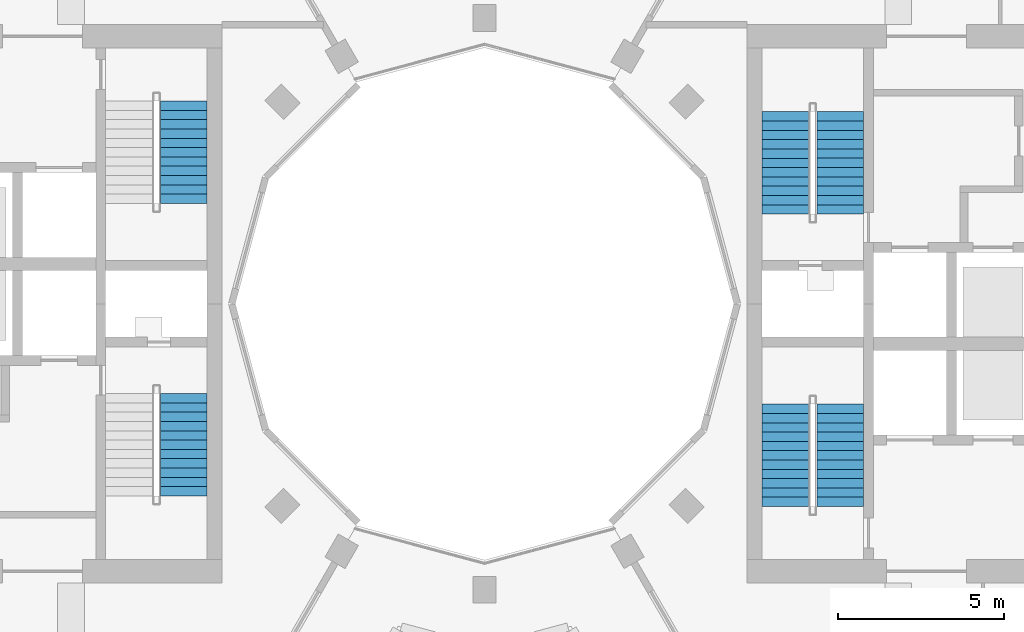
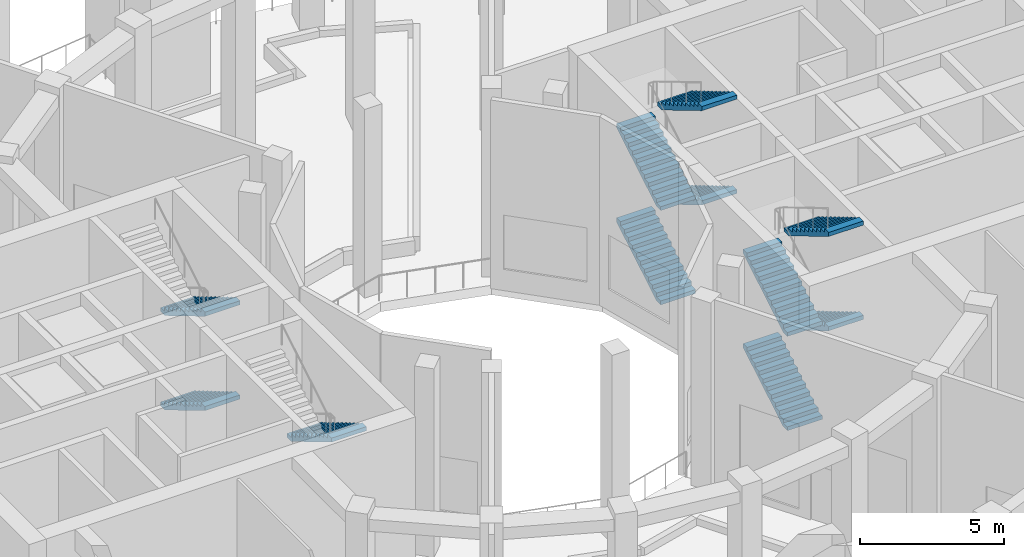
# One storey, part 15 of 18: 11 stair flights, 4 elements without a shape of their own.
"""IFC4 building model written with IfcOpenShell, lengths in metres."""

from ifc_helpers import new_model, si_unit, direction, frame, origin, place, context, subcontext, project, spatial, polyline, outline, extrude, material, layer, layer_set, type_object, element, aggregate, save


model = new_model("IFC4")

# Units and contexts
model_context = context("Model", 3, precision=1e-05, world=origin(), true_north=direction((0.0, 1.0)))
body_context = subcontext(model_context, "Body", "Model", "MODEL_VIEW")
ifc_project = project(units=[si_unit("LENGTHUNIT", "METRE"), si_unit("AREAUNIT", "SQUARE_METRE"), si_unit("VOLUMEUNIT", "CUBIC_METRE"), si_unit("PLANEANGLEUNIT", "RADIAN"), si_unit("MASSUNIT", "GRAM", prefix="KILO")], contexts=[model_context])

# Site, building, storey
site_placement = place(None, origin())
site = spatial("IfcSite", under=ifc_project, at=site_placement, CompositionType="ELEMENT")
building_placement = place(site_placement, origin())
building = spatial("IfcBuilding", under=site, at=building_placement, Name="Torre Brocal", CompositionType="ELEMENT")
storey_placement = place(building_placement, frame((0.0, 0.0, 149.699951171875)))
storey = spatial("IfcBuildingStorey", under=building, at=storey_placement, Name="L35", CompositionType="ELEMENT", Elevation=149.699951171875)

# Stair, stair flights
ifc_material_1 = material(Name="Concrete C50", Category="concrete")
stair_type = type_object("IfcStairType", Name="EXIT STAIR", PredefinedType="HALF_TURN_STAIR", material=ifc_material_1)
stair_1_placement = place(storey_placement, origin())
stair_1 = element("IfcStair", 1, at=stair_1_placement, inside=storey, type_object=stair_type, Name="EXIT STAIR ST1", PredefinedType="HALF_TURN_STAIR")
ifc_material_2 = material(Name="Concrete C50", Category="concrete")
ifc_layer = layer(ifc_material_2, 0.14990234375)
ifc_layer_set = layer_set([ifc_layer], Name="Concrete C50")
stair_flight_type = type_object("IfcStairFlightType", Name="STAIR FLIGHT", PredefinedType="STRAIGHT", material=ifc_layer_set)
stair_flight_1_placement = place(storey_placement, frame((89.050048828125, 77.699951171875, 0.0), z_axis=(0.0, 0.0, 1.0), x_axis=(0.0, 1.0, 0.0)))
stair_flight_1 = element("IfcStairFlight", 2, at=stair_flight_1_placement, type_object=stair_flight_type, Name="ST1 flight 1", NumberOfRisers=12, NumberOfTreads=11, PredefinedType="STRAIGHT", RiserHeight=0.166666667, TreadLength=0.28, context=body_context, shape_type="SweptSolid", body=[
    extrude(outline(polyline([(0.0, 0.0), (0.0, 0.166748046875), (0.280029296875, 0.166748046875), (0.280029296875, 0.333251953125), (0.56005859375, 0.333251953125), (0.56005859375, 0.5), (0.840087890625, 0.5), (0.840087890625, 0.666748046875), (1.1201171875, 0.666748046875), (1.1201171875, 0.833251953125), (1.39990234375, 0.833251953125), (1.39990234375, 1.0), (1.679931640625, 1.0), (1.679931640625, 1.166748046875), (1.9599609375, 1.166748046875), (1.9599609375, 1.333251953125), (2.239990234375, 1.333251953125), (2.239990234375, 1.5), (2.52001953125, 1.5), (2.52001953125, 1.666748046875), (2.800048828125, 1.666748046875), (2.800048828125, 1.833251953125), (3.080078125, 1.833251953125), (3.080078125, 2.0), (3.080078125, 1.658935546875), (0.29296875, 0.0), (0.0, 0.0)])), frame((0.0, 0.699951171875, 0.0), z_axis=(0.0, -1.0, 0.0), x_axis=(1.0, 0.0, 0.0)), (0.0, 0.0, 1.0), 1.39990234375),
])
stair_flight_2_placement = place(storey_placement, frame((90.699951171875, 80.780029296875, 2.0), z_axis=(0.0, 0.0, 1.0), x_axis=(0.0, -1.0, 0.0)))
stair_flight_2 = element("IfcStairFlight", 3, at=stair_flight_2_placement, type_object=stair_flight_type, Name="ST1 flight 2", NumberOfRisers=12, NumberOfTreads=11, PredefinedType="STRAIGHT", RiserHeight=0.166666667, TreadLength=0.28, context=body_context, shape_type="SweptSolid", body=[
    extrude(outline(polyline([(0.0, 0.0), (0.0, 0.166748046875), (0.280029296875, 0.166748046875), (0.280029296875, 0.333251953125), (0.56005859375, 0.333251953125), (0.56005859375, 0.5), (0.840087890625, 0.5), (0.840087890625, 0.666748046875), (1.1201171875, 0.666748046875), (1.1201171875, 0.833251953125), (1.39990234375, 0.833251953125), (1.39990234375, 1.0), (1.679931640625, 1.0), (1.679931640625, 1.166748046875), (1.9599609375, 1.166748046875), (1.9599609375, 1.333251953125), (2.239990234375, 1.333251953125), (2.239990234375, 1.5), (2.52001953125, 1.5), (2.52001953125, 1.666748046875), (2.800048828125, 1.666748046875), (2.800048828125, 1.833251953125), (3.080078125, 1.833251953125), (3.080078125, 2.0), (3.080078125, 1.658935546875), (0.29296875, 0.0), (0.0, 0.0)])), frame((0.0, 0.699951171875, 0.0), z_axis=(0.0, -1.0, 0.0), x_axis=(1.0, 0.0, 0.0)), (0.0, 0.0, 1.0), 1.39990234375),
])
stair_flight_3_placement = place(storey_placement, frame((89.050048828125, 77.699951171875, 4.0), z_axis=(0.0, 0.0, 1.0), x_axis=(0.0, 1.0, 0.0)))
stair_flight_3 = element("IfcStairFlight", 4, at=stair_flight_3_placement, type_object=stair_flight_type, Name="ST1 flight 3", NumberOfRisers=12, NumberOfTreads=11, PredefinedType="STRAIGHT", RiserHeight=0.166666667, TreadLength=0.28, context=body_context, shape_type="SweptSolid", body=[
    extrude(outline(polyline([(0.0, 0.0), (0.0, 0.166748046875), (0.280029296875, 0.166748046875), (0.280029296875, 0.333251953125), (0.56005859375, 0.333251953125), (0.56005859375, 0.5), (0.840087890625, 0.5), (0.840087890625, 0.666748046875), (1.1201171875, 0.666748046875), (1.1201171875, 0.833251953125), (1.39990234375, 0.833251953125), (1.39990234375, 1.0), (1.679931640625, 1.0), (1.679931640625, 1.166748046875), (1.9599609375, 1.166748046875), (1.9599609375, 1.333251953125), (2.239990234375, 1.333251953125), (2.239990234375, 1.5), (2.52001953125, 1.5), (2.52001953125, 1.666748046875), (2.800048828125, 1.666748046875), (2.800048828125, 1.833251953125), (3.080078125, 1.833251953125), (3.080078125, 2.0), (3.080078125, 1.658935546875), (0.29296875, 0.0), (0.0, 0.0)])), frame((0.0, 0.699951171875, 0.0), z_axis=(0.0, -1.0, 0.0), x_axis=(1.0, 0.0, 0.0)), (0.0, 0.0, 1.0), 1.39990234375),
])
stair_flight_4_placement = place(storey_placement, frame((90.699951171875, 80.780029296875, 6.0), z_axis=(0.0, 0.0, 1.0), x_axis=(0.0, -1.0, 0.0)))
stair_flight_4 = element("IfcStairFlight", 5, at=stair_flight_4_placement, type_object=stair_flight_type, Name="ST1 flight 4", NumberOfRisers=12, NumberOfTreads=11, PredefinedType="STRAIGHT", RiserHeight=0.166666667, TreadLength=0.28, context=body_context, shape_type="SweptSolid", body=[
    extrude(outline(polyline([(0.0, 0.0), (0.0, 0.166748046875), (0.280029296875, 0.166748046875), (0.280029296875, 0.333251953125), (0.56005859375, 0.333251953125), (0.56005859375, 0.5), (0.840087890625, 0.5), (0.840087890625, 0.666748046875), (1.1201171875, 0.666748046875), (1.1201171875, 0.833251953125), (1.39990234375, 0.833251953125), (1.39990234375, 1.0), (1.679931640625, 1.0), (1.679931640625, 1.166748046875), (1.9599609375, 1.166748046875), (1.9599609375, 1.333251953125), (2.239990234375, 1.333251953125), (2.239990234375, 1.5), (2.52001953125, 1.5), (2.52001953125, 1.666748046875), (2.800048828125, 1.666748046875), (2.800048828125, 1.833251953125), (3.080078125, 1.833251953125), (3.080078125, 2.0), (3.080078125, 1.658935546875), (0.29296875, 0.0), (0.0, 0.0)])), frame((0.0, 0.699951171875, 0.0), z_axis=(0.0, -1.0, 0.0), x_axis=(1.0, 0.0, 0.0)), (0.0, 0.0, 1.0), 1.39990234375),
])
aggregate(stair_1, [stair_flight_1, stair_flight_2, stair_flight_3, stair_flight_4])

stair_2_placement = place(storey_placement, origin())
stair_2 = element("IfcStair", 6, at=stair_2_placement, inside=storey, type_object=stair_type, Name="EXIT STAIR ST2", PredefinedType="HALF_TURN_STAIR")
stair_flight_5_placement = place(storey_placement, frame((89.050048828125, 68.89990234375, 0.0), z_axis=(0.0, 0.0, 1.0), x_axis=(0.0, 1.0, 0.0)))
stair_flight_5 = element("IfcStairFlight", 7, at=stair_flight_5_placement, type_object=stair_flight_type, Name="ST2 flight 1", NumberOfRisers=12, NumberOfTreads=11, PredefinedType="STRAIGHT", RiserHeight=0.166666667, TreadLength=0.28, context=body_context, shape_type="SweptSolid", body=[
    extrude(outline(polyline([(0.0, 0.0), (0.0, 0.166748046875), (0.280029296875, 0.166748046875), (0.280029296875, 0.333251953125), (0.56005859375, 0.333251953125), (0.56005859375, 0.5), (0.840087890625, 0.5), (0.840087890625, 0.666748046875), (1.1201171875, 0.666748046875), (1.1201171875, 0.833251953125), (1.39990234375, 0.833251953125), (1.39990234375, 1.0), (1.679931640625, 1.0), (1.679931640625, 1.166748046875), (1.9599609375, 1.166748046875), (1.9599609375, 1.333251953125), (2.239990234375, 1.333251953125), (2.239990234375, 1.5), (2.52001953125, 1.5), (2.52001953125, 1.666748046875), (2.800048828125, 1.666748046875), (2.800048828125, 1.833251953125), (3.080078125, 1.833251953125), (3.080078125, 2.0), (3.080078125, 1.658935546875), (0.29296875, 0.0), (0.0, 0.0)])), frame((0.0, 0.699951171875, 0.0), z_axis=(0.0, -1.0, 0.0), x_axis=(1.0, 0.0, 0.0)), (0.0, 0.0, 1.0), 1.39990234375),
])
stair_flight_6_placement = place(storey_placement, frame((90.699951171875, 71.97998046875, 2.0), z_axis=(0.0, 0.0, 1.0), x_axis=(0.0, -1.0, 0.0)))
stair_flight_6 = element("IfcStairFlight", 8, at=stair_flight_6_placement, type_object=stair_flight_type, Name="ST2 flight 2", NumberOfRisers=12, NumberOfTreads=11, PredefinedType="STRAIGHT", RiserHeight=0.166666667, TreadLength=0.28, context=body_context, shape_type="SweptSolid", body=[
    extrude(outline(polyline([(0.0, 0.0), (0.0, 0.166748046875), (0.280029296875, 0.166748046875), (0.280029296875, 0.333251953125), (0.56005859375, 0.333251953125), (0.56005859375, 0.5), (0.840087890625, 0.5), (0.840087890625, 0.666748046875), (1.1201171875, 0.666748046875), (1.1201171875, 0.833251953125), (1.39990234375, 0.833251953125), (1.39990234375, 1.0), (1.679931640625, 1.0), (1.679931640625, 1.166748046875), (1.9599609375, 1.166748046875), (1.9599609375, 1.333251953125), (2.239990234375, 1.333251953125), (2.239990234375, 1.5), (2.52001953125, 1.5), (2.52001953125, 1.666748046875), (2.800048828125, 1.666748046875), (2.800048828125, 1.833251953125), (3.080078125, 1.833251953125), (3.080078125, 2.0), (3.080078125, 1.658935546875), (0.29296875, 0.0), (0.0, 0.0)])), frame((0.0, 0.699951171875, 0.0), z_axis=(0.0, -1.0, 0.0), x_axis=(1.0, 0.0, 0.0)), (0.0, 0.0, 1.0), 1.39990234375),
])
stair_flight_7_placement = place(storey_placement, frame((89.050048828125, 68.89990234375, 4.0), z_axis=(0.0, 0.0, 1.0), x_axis=(0.0, 1.0, 0.0)))
stair_flight_7 = element("IfcStairFlight", 9, at=stair_flight_7_placement, type_object=stair_flight_type, Name="ST2 flight 3", NumberOfRisers=12, NumberOfTreads=11, PredefinedType="STRAIGHT", RiserHeight=0.166666667, TreadLength=0.28, context=body_context, shape_type="SweptSolid", body=[
    extrude(outline(polyline([(0.0, 0.0), (0.0, 0.166748046875), (0.280029296875, 0.166748046875), (0.280029296875, 0.333251953125), (0.56005859375, 0.333251953125), (0.56005859375, 0.5), (0.840087890625, 0.5), (0.840087890625, 0.666748046875), (1.1201171875, 0.666748046875), (1.1201171875, 0.833251953125), (1.39990234375, 0.833251953125), (1.39990234375, 1.0), (1.679931640625, 1.0), (1.679931640625, 1.166748046875), (1.9599609375, 1.166748046875), (1.9599609375, 1.333251953125), (2.239990234375, 1.333251953125), (2.239990234375, 1.5), (2.52001953125, 1.5), (2.52001953125, 1.666748046875), (2.800048828125, 1.666748046875), (2.800048828125, 1.833251953125), (3.080078125, 1.833251953125), (3.080078125, 2.0), (3.080078125, 1.658935546875), (0.29296875, 0.0), (0.0, 0.0)])), frame((0.0, 0.699951171875, 0.0), z_axis=(0.0, -1.0, 0.0), x_axis=(1.0, 0.0, 0.0)), (0.0, 0.0, 1.0), 1.39990234375),
])
stair_flight_8_placement = place(storey_placement, frame((90.699951171875, 71.97998046875, 6.0), z_axis=(0.0, 0.0, 1.0), x_axis=(0.0, -1.0, 0.0)))
stair_flight_8 = element("IfcStairFlight", 10, at=stair_flight_8_placement, type_object=stair_flight_type, Name="ST2 flight 4", NumberOfRisers=12, NumberOfTreads=11, PredefinedType="STRAIGHT", RiserHeight=0.166666667, TreadLength=0.28, context=body_context, shape_type="SweptSolid", body=[
    extrude(outline(polyline([(0.0, 0.0), (0.0, 0.166748046875), (0.280029296875, 0.166748046875), (0.280029296875, 0.333251953125), (0.56005859375, 0.333251953125), (0.56005859375, 0.5), (0.840087890625, 0.5), (0.840087890625, 0.666748046875), (1.1201171875, 0.666748046875), (1.1201171875, 0.833251953125), (1.39990234375, 0.833251953125), (1.39990234375, 1.0), (1.679931640625, 1.0), (1.679931640625, 1.166748046875), (1.9599609375, 1.166748046875), (1.9599609375, 1.333251953125), (2.239990234375, 1.333251953125), (2.239990234375, 1.5), (2.52001953125, 1.5), (2.52001953125, 1.666748046875), (2.800048828125, 1.666748046875), (2.800048828125, 1.833251953125), (3.080078125, 1.833251953125), (3.080078125, 2.0), (3.080078125, 1.658935546875), (0.29296875, 0.0), (0.0, 0.0)])), frame((0.0, 0.699951171875, 0.0), z_axis=(0.0, -1.0, 0.0), x_axis=(1.0, 0.0, 0.0)), (0.0, 0.0, 1.0), 1.39990234375),
])
aggregate(stair_2, [stair_flight_5, stair_flight_6, stair_flight_7, stair_flight_8])

# Stair, stair flight
stair_3_placement = place(storey_placement, origin())
stair_3 = element("IfcStair", 11, at=stair_3_placement, inside=storey, type_object=stair_type, Name="EXIT STAIR ST3", PredefinedType="HALF_TURN_STAIR")
stair_flight_9_placement = place(storey_placement, frame((70.949951171875, 72.300048828125, 4.0), z_axis=(0.0, 0.0, 1.0), x_axis=(0.0, -1.0, 0.0)))
stair_flight_9 = element("IfcStairFlight", 12, at=stair_flight_9_placement, type_object=stair_flight_type, Name="ST3 flight 3", NumberOfRisers=12, NumberOfTreads=11, PredefinedType="STRAIGHT", RiserHeight=0.166666667, TreadLength=0.28, context=body_context, shape_type="SweptSolid", body=[
    extrude(outline(polyline([(0.0, 0.0), (0.0, 0.166748046875), (0.280029296875, 0.166748046875), (0.280029296875, 0.333251953125), (0.56005859375, 0.333251953125), (0.56005859375, 0.5), (0.840087890625, 0.5), (0.840087890625, 0.666748046875), (1.1201171875, 0.666748046875), (1.1201171875, 0.833251953125), (1.39990234375, 0.833251953125), (1.39990234375, 1.0), (1.679931640625, 1.0), (1.679931640625, 1.166748046875), (1.9599609375, 1.166748046875), (1.9599609375, 1.333251953125), (2.239990234375, 1.333251953125), (2.239990234375, 1.5), (2.52001953125, 1.5), (2.52001953125, 1.666748046875), (2.800048828125, 1.666748046875), (2.800048828125, 1.833251953125), (3.080078125, 1.833251953125), (3.080078125, 2.0), (3.080078125, 1.658935546875), (0.29296875, 0.0), (0.0, 0.0)])), frame((0.0, 0.699951171875, 0.0), z_axis=(0.0, -1.0, 0.0), x_axis=(1.0, 0.0, 0.0)), (0.0, 0.0, 1.0), 1.39990234375),
])
aggregate(stair_3, [stair_flight_9])

# Stair, stair flights
stair_4_placement = place(storey_placement, origin())
stair_4 = element("IfcStair", 13, at=stair_4_placement, inside=storey, type_object=stair_type, Name="EXIT STAIR ST4", PredefinedType="HALF_TURN_STAIR")
stair_flight_10_placement = place(storey_placement, frame((70.949951171875, 81.10009765625, 0.0), z_axis=(0.0, 0.0, 1.0), x_axis=(0.0, -1.0, 0.0)))
stair_flight_10 = element("IfcStairFlight", 14, at=stair_flight_10_placement, type_object=stair_flight_type, Name="ST4 flight 1", NumberOfRisers=12, NumberOfTreads=11, PredefinedType="STRAIGHT", RiserHeight=0.166666667, TreadLength=0.28, context=body_context, shape_type="SweptSolid", body=[
    extrude(outline(polyline([(0.0, 0.0), (0.0, 0.166748046875), (0.280029296875, 0.166748046875), (0.280029296875, 0.333251953125), (0.56005859375, 0.333251953125), (0.56005859375, 0.5), (0.840087890625, 0.5), (0.840087890625, 0.666748046875), (1.1201171875, 0.666748046875), (1.1201171875, 0.833251953125), (1.39990234375, 0.833251953125), (1.39990234375, 1.0), (1.679931640625, 1.0), (1.679931640625, 1.166748046875), (1.9599609375, 1.166748046875), (1.9599609375, 1.333251953125), (2.239990234375, 1.333251953125), (2.239990234375, 1.5), (2.52001953125, 1.5), (2.52001953125, 1.666748046875), (2.800048828125, 1.666748046875), (2.800048828125, 1.833251953125), (3.080078125, 1.833251953125), (3.080078125, 2.0), (3.080078125, 1.658935546875), (0.29296875, 0.0), (0.0, 0.0)])), frame((0.0, 0.699951171875, 0.0), z_axis=(0.0, -1.0, 0.0), x_axis=(1.0, 0.0, 0.0)), (0.0, 0.0, 1.0), 1.39990234375),
])
stair_flight_11_placement = place(storey_placement, frame((70.949951171875, 81.10009765625, 4.0), z_axis=(0.0, 0.0, 1.0), x_axis=(0.0, -1.0, 0.0)))
stair_flight_11 = element("IfcStairFlight", 15, at=stair_flight_11_placement, type_object=stair_flight_type, Name="ST4 flight 3", NumberOfRisers=12, NumberOfTreads=11, PredefinedType="STRAIGHT", RiserHeight=0.166666667, TreadLength=0.28, context=body_context, shape_type="SweptSolid", body=[
    extrude(outline(polyline([(0.0, 0.0), (0.0, 0.166748046875), (0.280029296875, 0.166748046875), (0.280029296875, 0.333251953125), (0.56005859375, 0.333251953125), (0.56005859375, 0.5), (0.840087890625, 0.5), (0.840087890625, 0.666748046875), (1.1201171875, 0.666748046875), (1.1201171875, 0.833251953125), (1.39990234375, 0.833251953125), (1.39990234375, 1.0), (1.679931640625, 1.0), (1.679931640625, 1.166748046875), (1.9599609375, 1.166748046875), (1.9599609375, 1.333251953125), (2.239990234375, 1.333251953125), (2.239990234375, 1.5), (2.52001953125, 1.5), (2.52001953125, 1.666748046875), (2.800048828125, 1.666748046875), (2.800048828125, 1.833251953125), (3.080078125, 1.833251953125), (3.080078125, 2.0), (3.080078125, 1.658935546875), (0.29296875, 0.0), (0.0, 0.0)])), frame((0.0, 0.699951171875, 0.0), z_axis=(0.0, -1.0, 0.0), x_axis=(1.0, 0.0, 0.0)), (0.0, 0.0, 1.0), 1.39990234375),
])
aggregate(stair_4, [stair_flight_10, stair_flight_11])

save(model, "model.ifc")
